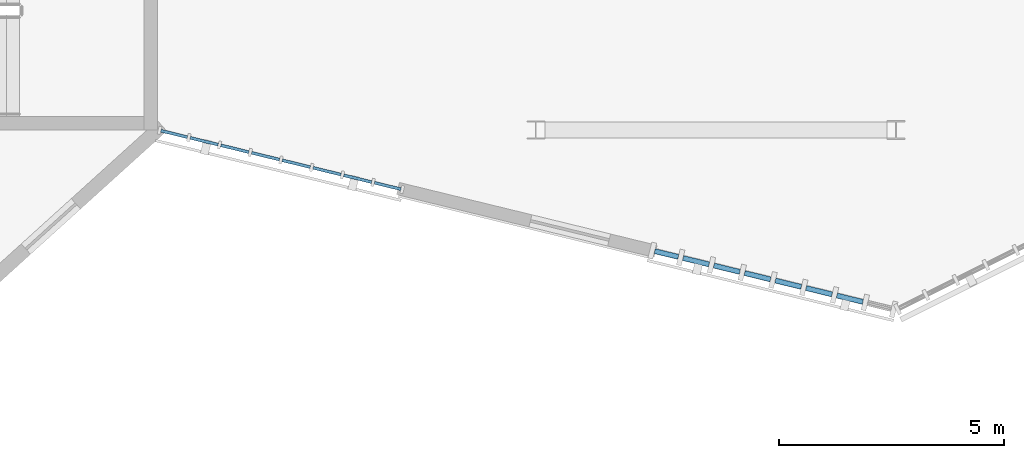
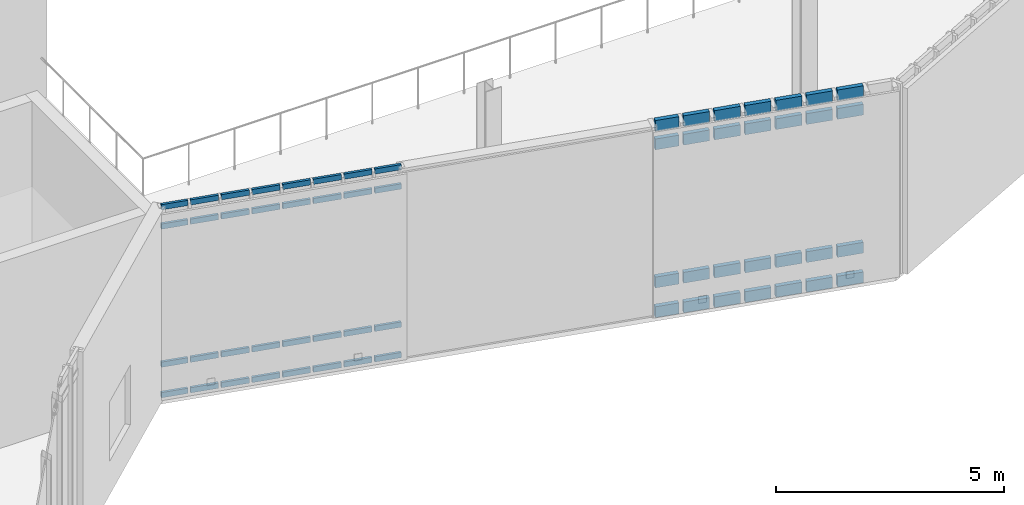
# One storey, part 51 of 127: 60 members, 2 elements without a shape of their own.
"""IFC4 building model written with IfcOpenShell, lengths in metres."""

from ifc_helpers import new_model, si_unit, direction, frame, origin, origin_2d, place, context, subcontext, project, spatial, rectangle, extrude, material, material_profile, profile_set, type_object, element, aggregate, save


model = new_model("IFC4")

# Units and contexts
model_context = context("Model", 3, precision=1e-05, world=origin(), true_north=direction((0.0, 1.0)))
body_context = subcontext(model_context, "Body", "Model", "MODEL_VIEW")
ifc_project = project(units=[si_unit("LENGTHUNIT", "METRE"), si_unit("AREAUNIT", "SQUARE_METRE"), si_unit("VOLUMEUNIT", "CUBIC_METRE"), si_unit("PLANEANGLEUNIT", "RADIAN"), si_unit("MASSUNIT", "GRAM", prefix="KILO")], contexts=[model_context])

# Site, building, storey
site_placement = place(None, origin())
site = spatial("IfcSite", under=ifc_project, at=site_placement, CompositionType="ELEMENT")
building_placement = place(site_placement, origin())
building = spatial("IfcBuilding", under=site, at=building_placement, Name="Larkvane Passage Sports Hall", CompositionType="ELEMENT")
storey_placement = place(building_placement, frame((0.0, 0.0, 5.39990234375)))
storey = spatial("IfcBuildingStorey", under=building, at=storey_placement, Name="L01", CompositionType="ELEMENT", Elevation=5.39990234375)

# Curtain wall, members
ifc_material_1 = material(Name="Thermally broken aluminium and low-E glazing", Category="aluminium")
curtain_wall_type_1 = type_object("IfcCurtainWallType", Name="CW-CLINIC", PredefinedType="USERDEFINED", material=ifc_material_1)
curtain_wall_1_placement = place(storey_placement, origin())
curtain_wall_1 = element("IfcCurtainWall", 1, at=curtain_wall_1_placement, inside=storey, type_object=curtain_wall_type_1, Name="Curtain wall CW5-L01-063", ObjectType="UNITISED CURTAIN WALL", PredefinedType="USERDEFINED")
ifc_material_2 = material(Name="Anodised aluminium 6063-T6", Category="aluminium")
ifc_material_profile_1 = material_profile(ifc_material_2, rectangle(XDim=0.110107421875, YDim=0.2900390625, at=origin_2d()), Name="ALU-TRN-110x290")
ifc_profile_set_1 = profile_set([ifc_material_profile_1], Name="Anodised aluminium 6063-T6")
member_type_1 = type_object("IfcMemberType", Name="CW-TRN-110x290", PredefinedType="USERDEFINED", material=ifc_profile_set_1)
member_1_placement = place(storey_placement, frame((109.26318359375, 18.979736328125, 0.05517578125), z_axis=(-0.971506474765, 0.237013015445, 0.0), x_axis=(-0.237013015445, -0.971506474765, 0.0)))
member_1 = element("IfcMember", 2, at=member_1_placement, type_object=member_type_1, Name="CW-05 transom 2.1", ObjectType="TRANSOM", PredefinedType="USERDEFINED", context=body_context, shape_type="SweptSolid", body=[
    extrude(rectangle(XDim=0.110107421875, YDim=0.2900390625, at=origin_2d()), origin(), (0.0, 0.0, 1.0), 0.59326171875),
])
member_2_placement = place(storey_placement, frame((109.26318359375, 18.979736328125, 0.85009765625), z_axis=(-0.971506474765, 0.237013015445, 0.0), x_axis=(-0.237013015445, -0.971506474765, 0.0)))
member_2 = element("IfcMember", 3, at=member_2_placement, type_object=member_type_1, Name="CW-05 transom 2.2", ObjectType="TRANSOM", PredefinedType="USERDEFINED", context=body_context, shape_type="SweptSolid", body=[
    extrude(rectangle(XDim=0.110107421875, YDim=0.2900390625, at=origin_2d()), origin(), (0.0, 0.0, 1.0), 0.59326171875),
])
member_3_placement = place(storey_placement, frame((109.26318359375, 18.979736328125, 4.550048828125), z_axis=(-0.971506474765, 0.237013015445, 0.0), x_axis=(-0.237013015445, -0.971506474765, 0.0)))
member_3 = element("IfcMember", 4, at=member_3_placement, type_object=member_type_1, Name="CW-05 transom 2.3", ObjectType="TRANSOM", PredefinedType="USERDEFINED", context=body_context, shape_type="SweptSolid", body=[
    extrude(rectangle(XDim=0.110107421875, YDim=0.2900390625, at=origin_2d()), origin(), (0.0, 0.0, 1.0), 0.59326171875),
])
member_4_placement = place(storey_placement, frame((109.26318359375, 18.979736328125, 5.045166015625), z_axis=(-0.971506474765, 0.237013015445, 0.0), x_axis=(-0.237013015445, -0.971506474765, 0.0)))
member_4 = element("IfcMember", 5, at=member_4_placement, type_object=member_type_1, Name="CW-05 transom 2.4", ObjectType="TRANSOM", PredefinedType="USERDEFINED", context=body_context, shape_type="SweptSolid", body=[
    extrude(rectangle(XDim=0.110107421875, YDim=0.2900390625, at=origin_2d()), origin(), (0.0, 0.0, 1.0), 0.59326171875),
])
member_5_placement = place(storey_placement, frame((108.579833984375, 19.146240234375, 0.05517578125), z_axis=(-0.971506474765, 0.237013015445, 0.0), x_axis=(-0.237013015445, -0.971506474765, 0.0)))
member_5 = element("IfcMember", 6, at=member_5_placement, type_object=member_type_1, Name="CW-05 transom 3.1", ObjectType="TRANSOM", PredefinedType="USERDEFINED", context=body_context, shape_type="SweptSolid", body=[
    extrude(rectangle(XDim=0.110107421875, YDim=0.2900390625, at=origin_2d()), origin(), (0.0, 0.0, 1.0), 0.59326171875),
])
member_6_placement = place(storey_placement, frame((108.579833984375, 19.146240234375, 0.85009765625), z_axis=(-0.971506474765, 0.237013015445, 0.0), x_axis=(-0.237013015445, -0.971506474765, 0.0)))
member_6 = element("IfcMember", 7, at=member_6_placement, type_object=member_type_1, Name="CW-05 transom 3.2", ObjectType="TRANSOM", PredefinedType="USERDEFINED", context=body_context, shape_type="SweptSolid", body=[
    extrude(rectangle(XDim=0.110107421875, YDim=0.2900390625, at=origin_2d()), origin(), (0.0, 0.0, 1.0), 0.59326171875),
])
member_7_placement = place(storey_placement, frame((108.579833984375, 19.146240234375, 4.550048828125), z_axis=(-0.971506474765, 0.237013015445, 0.0), x_axis=(-0.237013015445, -0.971506474765, 0.0)))
member_7 = element("IfcMember", 8, at=member_7_placement, type_object=member_type_1, Name="CW-05 transom 3.3", ObjectType="TRANSOM", PredefinedType="USERDEFINED", context=body_context, shape_type="SweptSolid", body=[
    extrude(rectangle(XDim=0.110107421875, YDim=0.2900390625, at=origin_2d()), origin(), (0.0, 0.0, 1.0), 0.59326171875),
])
member_8_placement = place(storey_placement, frame((108.579833984375, 19.146240234375, 5.045166015625), z_axis=(-0.971506474765, 0.237013015445, 0.0), x_axis=(-0.237013015445, -0.971506474765, 0.0)))
member_8 = element("IfcMember", 9, at=member_8_placement, type_object=member_type_1, Name="CW-05 transom 3.4", ObjectType="TRANSOM", PredefinedType="USERDEFINED", context=body_context, shape_type="SweptSolid", body=[
    extrude(rectangle(XDim=0.110107421875, YDim=0.2900390625, at=origin_2d()), origin(), (0.0, 0.0, 1.0), 0.59326171875),
])
member_9_placement = place(storey_placement, frame((107.896484375, 19.31298828125, 0.05517578125), z_axis=(-0.971506474765, 0.237013015445, 0.0), x_axis=(-0.237013015445, -0.971506474765, 0.0)))
member_9 = element("IfcMember", 10, at=member_9_placement, type_object=member_type_1, Name="CW-05 transom 4.1", ObjectType="TRANSOM", PredefinedType="USERDEFINED", context=body_context, shape_type="SweptSolid", body=[
    extrude(rectangle(XDim=0.110107421875, YDim=0.2900390625, at=origin_2d()), origin(), (0.0, 0.0, 1.0), 0.59326171875),
])
member_10_placement = place(storey_placement, frame((107.896484375, 19.31298828125, 0.85009765625), z_axis=(-0.971506474765, 0.237013015445, 0.0), x_axis=(-0.237013015445, -0.971506474765, 0.0)))
member_10 = element("IfcMember", 11, at=member_10_placement, type_object=member_type_1, Name="CW-05 transom 4.2", ObjectType="TRANSOM", PredefinedType="USERDEFINED", context=body_context, shape_type="SweptSolid", body=[
    extrude(rectangle(XDim=0.110107421875, YDim=0.2900390625, at=origin_2d()), origin(), (0.0, 0.0, 1.0), 0.59326171875),
])
member_11_placement = place(storey_placement, frame((107.896484375, 19.31298828125, 4.550048828125), z_axis=(-0.971506474765, 0.237013015445, 0.0), x_axis=(-0.237013015445, -0.971506474765, 0.0)))
member_11 = element("IfcMember", 12, at=member_11_placement, type_object=member_type_1, Name="CW-05 transom 4.3", ObjectType="TRANSOM", PredefinedType="USERDEFINED", context=body_context, shape_type="SweptSolid", body=[
    extrude(rectangle(XDim=0.110107421875, YDim=0.2900390625, at=origin_2d()), origin(), (0.0, 0.0, 1.0), 0.59326171875),
])
member_12_placement = place(storey_placement, frame((107.896484375, 19.31298828125, 5.045166015625), z_axis=(-0.971506474765, 0.237013015445, 0.0), x_axis=(-0.237013015445, -0.971506474765, 0.0)))
member_12 = element("IfcMember", 13, at=member_12_placement, type_object=member_type_1, Name="CW-05 transom 4.4", ObjectType="TRANSOM", PredefinedType="USERDEFINED", context=body_context, shape_type="SweptSolid", body=[
    extrude(rectangle(XDim=0.110107421875, YDim=0.2900390625, at=origin_2d()), origin(), (0.0, 0.0, 1.0), 0.59326171875),
])
member_13_placement = place(storey_placement, frame((107.213134765625, 19.479736328125, 0.05517578125), z_axis=(-0.971506474765, 0.237013015445, 0.0), x_axis=(-0.237013015445, -0.971506474765, 0.0)))
member_13 = element("IfcMember", 14, at=member_13_placement, type_object=member_type_1, Name="CW-05 transom 5.1", ObjectType="TRANSOM", PredefinedType="USERDEFINED", context=body_context, shape_type="SweptSolid", body=[
    extrude(rectangle(XDim=0.110107421875, YDim=0.2900390625, at=origin_2d()), origin(), (0.0, 0.0, 1.0), 0.59326171875),
])
member_14_placement = place(storey_placement, frame((107.213134765625, 19.479736328125, 0.85009765625), z_axis=(-0.971506474765, 0.237013015445, 0.0), x_axis=(-0.237013015445, -0.971506474765, 0.0)))
member_14 = element("IfcMember", 15, at=member_14_placement, type_object=member_type_1, Name="CW-05 transom 5.2", ObjectType="TRANSOM", PredefinedType="USERDEFINED", context=body_context, shape_type="SweptSolid", body=[
    extrude(rectangle(XDim=0.110107421875, YDim=0.2900390625, at=origin_2d()), origin(), (0.0, 0.0, 1.0), 0.59326171875),
])
member_15_placement = place(storey_placement, frame((107.213134765625, 19.479736328125, 4.550048828125), z_axis=(-0.971506474765, 0.237013015445, 0.0), x_axis=(-0.237013015445, -0.971506474765, 0.0)))
member_15 = element("IfcMember", 16, at=member_15_placement, type_object=member_type_1, Name="CW-05 transom 5.3", ObjectType="TRANSOM", PredefinedType="USERDEFINED", context=body_context, shape_type="SweptSolid", body=[
    extrude(rectangle(XDim=0.110107421875, YDim=0.2900390625, at=origin_2d()), origin(), (0.0, 0.0, 1.0), 0.59326171875),
])
member_16_placement = place(storey_placement, frame((107.213134765625, 19.479736328125, 5.045166015625), z_axis=(-0.971506474765, 0.237013015445, 0.0), x_axis=(-0.237013015445, -0.971506474765, 0.0)))
member_16 = element("IfcMember", 17, at=member_16_placement, type_object=member_type_1, Name="CW-05 transom 5.4", ObjectType="TRANSOM", PredefinedType="USERDEFINED", context=body_context, shape_type="SweptSolid", body=[
    extrude(rectangle(XDim=0.110107421875, YDim=0.2900390625, at=origin_2d()), origin(), (0.0, 0.0, 1.0), 0.59326171875),
])
member_17_placement = place(storey_placement, frame((106.52978515625, 19.646240234375, 0.05517578125), z_axis=(-0.971506474765, 0.237013015445, 0.0), x_axis=(-0.237013015445, -0.971506474765, 0.0)))
member_17 = element("IfcMember", 18, at=member_17_placement, type_object=member_type_1, Name="CW-05 transom 6.1", ObjectType="TRANSOM", PredefinedType="USERDEFINED", context=body_context, shape_type="SweptSolid", body=[
    extrude(rectangle(XDim=0.110107421875, YDim=0.2900390625, at=origin_2d()), origin(), (0.0, 0.0, 1.0), 0.59326171875),
])
member_18_placement = place(storey_placement, frame((106.52978515625, 19.646240234375, 0.85009765625), z_axis=(-0.971506474765, 0.237013015445, 0.0), x_axis=(-0.237013015445, -0.971506474765, 0.0)))
member_18 = element("IfcMember", 19, at=member_18_placement, type_object=member_type_1, Name="CW-05 transom 6.2", ObjectType="TRANSOM", PredefinedType="USERDEFINED", context=body_context, shape_type="SweptSolid", body=[
    extrude(rectangle(XDim=0.110107421875, YDim=0.2900390625, at=origin_2d()), origin(), (0.0, 0.0, 1.0), 0.59326171875),
])
member_19_placement = place(storey_placement, frame((106.52978515625, 19.646240234375, 4.550048828125), z_axis=(-0.971506474765, 0.237013015445, 0.0), x_axis=(-0.237013015445, -0.971506474765, 0.0)))
member_19 = element("IfcMember", 20, at=member_19_placement, type_object=member_type_1, Name="CW-05 transom 6.3", ObjectType="TRANSOM", PredefinedType="USERDEFINED", context=body_context, shape_type="SweptSolid", body=[
    extrude(rectangle(XDim=0.110107421875, YDim=0.2900390625, at=origin_2d()), origin(), (0.0, 0.0, 1.0), 0.59326171875),
])
member_20_placement = place(storey_placement, frame((106.52978515625, 19.646240234375, 5.045166015625), z_axis=(-0.971506474765, 0.237013015445, 0.0), x_axis=(-0.237013015445, -0.971506474765, 0.0)))
member_20 = element("IfcMember", 21, at=member_20_placement, type_object=member_type_1, Name="CW-05 transom 6.4", ObjectType="TRANSOM", PredefinedType="USERDEFINED", context=body_context, shape_type="SweptSolid", body=[
    extrude(rectangle(XDim=0.110107421875, YDim=0.2900390625, at=origin_2d()), origin(), (0.0, 0.0, 1.0), 0.59326171875),
])
member_21_placement = place(storey_placement, frame((105.846435546875, 19.81298828125, 0.05517578125), z_axis=(-0.971506474765, 0.237013015445, 0.0), x_axis=(-0.237013015445, -0.971506474765, 0.0)))
member_21 = element("IfcMember", 22, at=member_21_placement, type_object=member_type_1, Name="CW-05 transom 7.1", ObjectType="TRANSOM", PredefinedType="USERDEFINED", context=body_context, shape_type="SweptSolid", body=[
    extrude(rectangle(XDim=0.110107421875, YDim=0.2900390625, at=origin_2d()), origin(), (0.0, 0.0, 1.0), 0.59326171875),
])
member_22_placement = place(storey_placement, frame((105.846435546875, 19.81298828125, 0.85009765625), z_axis=(-0.971506474765, 0.237013015445, 0.0), x_axis=(-0.237013015445, -0.971506474765, 0.0)))
member_22 = element("IfcMember", 23, at=member_22_placement, type_object=member_type_1, Name="CW-05 transom 7.2", ObjectType="TRANSOM", PredefinedType="USERDEFINED", context=body_context, shape_type="SweptSolid", body=[
    extrude(rectangle(XDim=0.110107421875, YDim=0.2900390625, at=origin_2d()), origin(), (0.0, 0.0, 1.0), 0.59326171875),
])
member_23_placement = place(storey_placement, frame((105.846435546875, 19.81298828125, 4.550048828125), z_axis=(-0.971506474765, 0.237013015445, 0.0), x_axis=(-0.237013015445, -0.971506474765, 0.0)))
member_23 = element("IfcMember", 24, at=member_23_placement, type_object=member_type_1, Name="CW-05 transom 7.3", ObjectType="TRANSOM", PredefinedType="USERDEFINED", context=body_context, shape_type="SweptSolid", body=[
    extrude(rectangle(XDim=0.110107421875, YDim=0.2900390625, at=origin_2d()), origin(), (0.0, 0.0, 1.0), 0.59326171875),
])
member_24_placement = place(storey_placement, frame((105.846435546875, 19.81298828125, 5.045166015625), z_axis=(-0.971506474765, 0.237013015445, 0.0), x_axis=(-0.237013015445, -0.971506474765, 0.0)))
member_24 = element("IfcMember", 25, at=member_24_placement, type_object=member_type_1, Name="CW-05 transom 7.4", ObjectType="TRANSOM", PredefinedType="USERDEFINED", context=body_context, shape_type="SweptSolid", body=[
    extrude(rectangle(XDim=0.110107421875, YDim=0.2900390625, at=origin_2d()), origin(), (0.0, 0.0, 1.0), 0.59326171875),
])
member_25_placement = place(storey_placement, frame((105.1630859375, 19.979736328125, 0.05517578125), z_axis=(-0.971566162385, 0.236768224447, 0.0), x_axis=(-0.236768224447, -0.971566162385, 0.0)))
member_25 = element("IfcMember", 26, at=member_25_placement, type_object=member_type_1, Name="CW-05 transom 8.1", ObjectType="TRANSOM", PredefinedType="USERDEFINED", context=body_context, shape_type="SweptSolid", body=[
    extrude(rectangle(XDim=0.110107421875, YDim=0.2900390625, at=origin_2d()), origin(), (0.0, 0.0, 1.0), 0.538330078125),
])
member_26_placement = place(storey_placement, frame((105.1630859375, 19.979736328125, 0.85009765625), z_axis=(-0.971566162385, 0.236768224447, 0.0), x_axis=(-0.236768224447, -0.971566162385, 0.0)))
member_26 = element("IfcMember", 27, at=member_26_placement, type_object=member_type_1, Name="CW-05 transom 8.2", ObjectType="TRANSOM", PredefinedType="USERDEFINED", context=body_context, shape_type="SweptSolid", body=[
    extrude(rectangle(XDim=0.110107421875, YDim=0.2900390625, at=origin_2d()), origin(), (0.0, 0.0, 1.0), 0.538330078125),
])
member_27_placement = place(storey_placement, frame((105.1630859375, 19.979736328125, 4.550048828125), z_axis=(-0.971566162385, 0.236768224447, 0.0), x_axis=(-0.236768224447, -0.971566162385, 0.0)))
member_27 = element("IfcMember", 28, at=member_27_placement, type_object=member_type_1, Name="CW-05 transom 8.3", ObjectType="TRANSOM", PredefinedType="USERDEFINED", context=body_context, shape_type="SweptSolid", body=[
    extrude(rectangle(XDim=0.110107421875, YDim=0.2900390625, at=origin_2d()), origin(), (0.0, 0.0, 1.0), 0.538330078125),
])
member_28_placement = place(storey_placement, frame((105.1630859375, 19.979736328125, 5.045166015625), z_axis=(-0.971566162385, 0.236768224447, 0.0), x_axis=(-0.236768224447, -0.971566162385, 0.0)))
member_28 = element("IfcMember", 29, at=member_28_placement, type_object=member_type_1, Name="CW-05 transom 8.4", ObjectType="TRANSOM", PredefinedType="USERDEFINED", context=body_context, shape_type="SweptSolid", body=[
    extrude(rectangle(XDim=0.110107421875, YDim=0.2900390625, at=origin_2d()), origin(), (0.0, 0.0, 1.0), 0.538330078125),
])
aggregate(curtain_wall_1, [member_1, member_2, member_3, member_4, member_5, member_6, member_7, member_8, member_9, member_10, member_11, member_12, member_13, member_14, member_15, member_16, member_17, member_18, member_19, member_20, member_21, member_22, member_23, member_24, member_25, member_26, member_27, member_28])

curtain_wall_type_2 = type_object("IfcCurtainWallType", Name="CW-UNIT-COURT", PredefinedType="USERDEFINED", material=ifc_material_1)
curtain_wall_2_placement = place(storey_placement, origin())
curtain_wall_2 = element("IfcCurtainWall", 30, at=curtain_wall_2_placement, inside=storey, type_object=curtain_wall_type_2, Name="Curtain wall CW5-L01-064", ObjectType="UNITISED CURTAIN WALL", PredefinedType="USERDEFINED")
ifc_material_profile_2 = material_profile(ifc_material_2, rectangle(XDim=0.06494140625, YDim=0.139892578125, at=origin_2d()), Name="ALU-TRN-65x140")
ifc_profile_set_2 = profile_set([ifc_material_profile_2], Name="Anodised aluminium 6063-T6")
member_type_2 = type_object("IfcMemberType", Name="CW-TRN-65x140", PredefinedType="USERDEFINED", material=ifc_profile_set_2)
member_29_placement = place(storey_placement, frame((99.003662109375, 21.482177734375, 0.03271484375), z_axis=(-0.971597378728, 0.236640093073, 0.0), x_axis=(-0.236640093073, -0.971597378728, 0.0)))
member_29 = element("IfcMember", 31, at=member_29_placement, type_object=member_type_2, Name="CW-01 transom 1.1", ObjectType="TRANSOM", PredefinedType="USERDEFINED", context=body_context, shape_type="SweptSolid", body=[
    extrude(rectangle(XDim=0.06494140625, YDim=0.139892578125, at=origin_2d()), origin(), (0.0, 0.0, 1.0), 0.6044921875),
])
member_30_placement = place(storey_placement, frame((99.003662109375, 21.482177734375, 0.85009765625), z_axis=(-0.971597378728, 0.236640093073, 0.0), x_axis=(-0.236640093073, -0.971597378728, 0.0)))
member_30 = element("IfcMember", 32, at=member_30_placement, type_object=member_type_2, Name="CW-01 transom 1.2", ObjectType="TRANSOM", PredefinedType="USERDEFINED", context=body_context, shape_type="SweptSolid", body=[
    extrude(rectangle(XDim=0.06494140625, YDim=0.139892578125, at=origin_2d()), origin(), (0.0, 0.0, 1.0), 0.6044921875),
])
member_31_placement = place(storey_placement, frame((99.003662109375, 21.482177734375, 4.550048828125), z_axis=(-0.971597378728, 0.236640093073, 0.0), x_axis=(-0.236640093073, -0.971597378728, 0.0)))
member_31 = element("IfcMember", 33, at=member_31_placement, type_object=member_type_2, Name="CW-01 transom 1.3", ObjectType="TRANSOM", PredefinedType="USERDEFINED", context=body_context, shape_type="SweptSolid", body=[
    extrude(rectangle(XDim=0.06494140625, YDim=0.139892578125, at=origin_2d()), origin(), (0.0, 0.0, 1.0), 0.6044921875),
])
member_32_placement = place(storey_placement, frame((99.003662109375, 21.482177734375, 5.067626953125), z_axis=(-0.971597378728, 0.236640093073, 0.0), x_axis=(-0.236640093073, -0.971597378728, 0.0)))
member_32 = element("IfcMember", 34, at=member_32_placement, type_object=member_type_2, Name="CW-01 transom 1.4", ObjectType="TRANSOM", PredefinedType="USERDEFINED", context=body_context, shape_type="SweptSolid", body=[
    extrude(rectangle(XDim=0.06494140625, YDim=0.139892578125, at=origin_2d()), origin(), (0.0, 0.0, 1.0), 0.6044921875),
])
member_33_placement = place(storey_placement, frame((98.35302734375, 21.640869140625, 0.03271484375), z_axis=(-0.971546155783, 0.236850305433, 0.0), x_axis=(-0.236850305433, -0.971546155783, 0.0)))
member_33 = element("IfcMember", 35, at=member_33_placement, type_object=member_type_2, Name="CW-01 transom 2.1", ObjectType="TRANSOM", PredefinedType="USERDEFINED", context=body_context, shape_type="SweptSolid", body=[
    extrude(rectangle(XDim=0.06494140625, YDim=0.139892578125, at=origin_2d()), origin(), (0.0, 0.0, 1.0), 0.636962890625),
])
member_34_placement = place(storey_placement, frame((98.35302734375, 21.640869140625, 0.85009765625), z_axis=(-0.971546155783, 0.236850305433, 0.0), x_axis=(-0.236850305433, -0.971546155783, 0.0)))
member_34 = element("IfcMember", 36, at=member_34_placement, type_object=member_type_2, Name="CW-01 transom 2.2", ObjectType="TRANSOM", PredefinedType="USERDEFINED", context=body_context, shape_type="SweptSolid", body=[
    extrude(rectangle(XDim=0.06494140625, YDim=0.139892578125, at=origin_2d()), origin(), (0.0, 0.0, 1.0), 0.636962890625),
])
member_35_placement = place(storey_placement, frame((98.35302734375, 21.640869140625, 4.550048828125), z_axis=(-0.971546155783, 0.236850305433, 0.0), x_axis=(-0.236850305433, -0.971546155783, 0.0)))
member_35 = element("IfcMember", 37, at=member_35_placement, type_object=member_type_2, Name="CW-01 transom 2.3", ObjectType="TRANSOM", PredefinedType="USERDEFINED", context=body_context, shape_type="SweptSolid", body=[
    extrude(rectangle(XDim=0.06494140625, YDim=0.139892578125, at=origin_2d()), origin(), (0.0, 0.0, 1.0), 0.636962890625),
])
member_36_placement = place(storey_placement, frame((98.35302734375, 21.640869140625, 5.067626953125), z_axis=(-0.971546155783, 0.236850305433, 0.0), x_axis=(-0.236850305433, -0.971546155783, 0.0)))
member_36 = element("IfcMember", 38, at=member_36_placement, type_object=member_type_2, Name="CW-01 transom 2.4", ObjectType="TRANSOM", PredefinedType="USERDEFINED", context=body_context, shape_type="SweptSolid", body=[
    extrude(rectangle(XDim=0.06494140625, YDim=0.139892578125, at=origin_2d()), origin(), (0.0, 0.0, 1.0), 0.636962890625),
])
member_37_placement = place(storey_placement, frame((97.6708984375, 21.80712890625, 0.03271484375), z_axis=(-0.971546155783, 0.236850305433, 0.0), x_axis=(-0.236850305433, -0.971546155783, 0.0)))
member_37 = element("IfcMember", 39, at=member_37_placement, type_object=member_type_2, Name="CW-01 transom 3.1", ObjectType="TRANSOM", PredefinedType="USERDEFINED", context=body_context, shape_type="SweptSolid", body=[
    extrude(rectangle(XDim=0.06494140625, YDim=0.139892578125, at=origin_2d()), origin(), (0.0, 0.0, 1.0), 0.636962890625),
])
member_38_placement = place(storey_placement, frame((97.6708984375, 21.80712890625, 0.85009765625), z_axis=(-0.971546155783, 0.236850305433, 0.0), x_axis=(-0.236850305433, -0.971546155783, 0.0)))
member_38 = element("IfcMember", 40, at=member_38_placement, type_object=member_type_2, Name="CW-01 transom 3.2", ObjectType="TRANSOM", PredefinedType="USERDEFINED", context=body_context, shape_type="SweptSolid", body=[
    extrude(rectangle(XDim=0.06494140625, YDim=0.139892578125, at=origin_2d()), origin(), (0.0, 0.0, 1.0), 0.636962890625),
])
member_39_placement = place(storey_placement, frame((97.6708984375, 21.80712890625, 4.550048828125), z_axis=(-0.971546155783, 0.236850305433, 0.0), x_axis=(-0.236850305433, -0.971546155783, 0.0)))
member_39 = element("IfcMember", 41, at=member_39_placement, type_object=member_type_2, Name="CW-01 transom 3.3", ObjectType="TRANSOM", PredefinedType="USERDEFINED", context=body_context, shape_type="SweptSolid", body=[
    extrude(rectangle(XDim=0.06494140625, YDim=0.139892578125, at=origin_2d()), origin(), (0.0, 0.0, 1.0), 0.636962890625),
])
member_40_placement = place(storey_placement, frame((97.6708984375, 21.80712890625, 5.067626953125), z_axis=(-0.971546155783, 0.236850305433, 0.0), x_axis=(-0.236850305433, -0.971546155783, 0.0)))
member_40 = element("IfcMember", 42, at=member_40_placement, type_object=member_type_2, Name="CW-01 transom 3.4", ObjectType="TRANSOM", PredefinedType="USERDEFINED", context=body_context, shape_type="SweptSolid", body=[
    extrude(rectangle(XDim=0.06494140625, YDim=0.139892578125, at=origin_2d()), origin(), (0.0, 0.0, 1.0), 0.636962890625),
])
member_41_placement = place(storey_placement, frame((96.98876953125, 21.973388671875, 0.03271484375), z_axis=(-0.971457905742, 0.237212009331, 0.0), x_axis=(-0.237212009331, -0.971457905742, 0.0)))
member_41 = element("IfcMember", 43, at=member_41_placement, type_object=member_type_2, Name="CW-01 transom 4.1", ObjectType="TRANSOM", PredefinedType="USERDEFINED", context=body_context, shape_type="SweptSolid", body=[
    extrude(rectangle(XDim=0.06494140625, YDim=0.139892578125, at=origin_2d()), origin(), (0.0, 0.0, 1.0), 0.636962890625),
])
member_42_placement = place(storey_placement, frame((96.98876953125, 21.973388671875, 0.85009765625), z_axis=(-0.971457905742, 0.237212009331, 0.0), x_axis=(-0.237212009331, -0.971457905742, 0.0)))
member_42 = element("IfcMember", 44, at=member_42_placement, type_object=member_type_2, Name="CW-01 transom 4.2", ObjectType="TRANSOM", PredefinedType="USERDEFINED", context=body_context, shape_type="SweptSolid", body=[
    extrude(rectangle(XDim=0.06494140625, YDim=0.139892578125, at=origin_2d()), origin(), (0.0, 0.0, 1.0), 0.636962890625),
])
member_43_placement = place(storey_placement, frame((96.98876953125, 21.973388671875, 4.550048828125), z_axis=(-0.971457905742, 0.237212009331, 0.0), x_axis=(-0.237212009331, -0.971457905742, 0.0)))
member_43 = element("IfcMember", 45, at=member_43_placement, type_object=member_type_2, Name="CW-01 transom 4.3", ObjectType="TRANSOM", PredefinedType="USERDEFINED", context=body_context, shape_type="SweptSolid", body=[
    extrude(rectangle(XDim=0.06494140625, YDim=0.139892578125, at=origin_2d()), origin(), (0.0, 0.0, 1.0), 0.636962890625),
])
member_44_placement = place(storey_placement, frame((96.98876953125, 21.973388671875, 5.067626953125), z_axis=(-0.971457905742, 0.237212009331, 0.0), x_axis=(-0.237212009331, -0.971457905742, 0.0)))
member_44 = element("IfcMember", 46, at=member_44_placement, type_object=member_type_2, Name="CW-01 transom 4.4", ObjectType="TRANSOM", PredefinedType="USERDEFINED", context=body_context, shape_type="SweptSolid", body=[
    extrude(rectangle(XDim=0.06494140625, YDim=0.139892578125, at=origin_2d()), origin(), (0.0, 0.0, 1.0), 0.636962890625),
])
member_45_placement = place(storey_placement, frame((96.306640625, 22.139892578125, 0.03271484375), z_axis=(-0.971546155783, 0.236850305433, 0.0), x_axis=(-0.236850305433, -0.971546155783, 0.0)))
member_45 = element("IfcMember", 47, at=member_45_placement, type_object=member_type_2, Name="CW-01 transom 5.1", ObjectType="TRANSOM", PredefinedType="USERDEFINED", context=body_context, shape_type="SweptSolid", body=[
    extrude(rectangle(XDim=0.06494140625, YDim=0.139892578125, at=origin_2d()), origin(), (0.0, 0.0, 1.0), 0.636962890625),
])
member_46_placement = place(storey_placement, frame((96.306640625, 22.139892578125, 0.85009765625), z_axis=(-0.971546155783, 0.236850305433, 0.0), x_axis=(-0.236850305433, -0.971546155783, 0.0)))
member_46 = element("IfcMember", 48, at=member_46_placement, type_object=member_type_2, Name="CW-01 transom 5.2", ObjectType="TRANSOM", PredefinedType="USERDEFINED", context=body_context, shape_type="SweptSolid", body=[
    extrude(rectangle(XDim=0.06494140625, YDim=0.139892578125, at=origin_2d()), origin(), (0.0, 0.0, 1.0), 0.636962890625),
])
member_47_placement = place(storey_placement, frame((96.306640625, 22.139892578125, 4.550048828125), z_axis=(-0.971546155783, 0.236850305433, 0.0), x_axis=(-0.236850305433, -0.971546155783, 0.0)))
member_47 = element("IfcMember", 49, at=member_47_placement, type_object=member_type_2, Name="CW-01 transom 5.3", ObjectType="TRANSOM", PredefinedType="USERDEFINED", context=body_context, shape_type="SweptSolid", body=[
    extrude(rectangle(XDim=0.06494140625, YDim=0.139892578125, at=origin_2d()), origin(), (0.0, 0.0, 1.0), 0.636962890625),
])
member_48_placement = place(storey_placement, frame((96.306640625, 22.139892578125, 5.067626953125), z_axis=(-0.971546155783, 0.236850305433, 0.0), x_axis=(-0.236850305433, -0.971546155783, 0.0)))
member_48 = element("IfcMember", 50, at=member_48_placement, type_object=member_type_2, Name="CW-01 transom 5.4", ObjectType="TRANSOM", PredefinedType="USERDEFINED", context=body_context, shape_type="SweptSolid", body=[
    extrude(rectangle(XDim=0.06494140625, YDim=0.139892578125, at=origin_2d()), origin(), (0.0, 0.0, 1.0), 0.636962890625),
])
member_49_placement = place(storey_placement, frame((95.62451171875, 22.30615234375, 0.03271484375), z_axis=(-0.971457905742, 0.237212009331, 0.0), x_axis=(-0.237212009331, -0.971457905742, 0.0)))
member_49 = element("IfcMember", 51, at=member_49_placement, type_object=member_type_2, Name="CW-01 transom 6.1", ObjectType="TRANSOM", PredefinedType="USERDEFINED", context=body_context, shape_type="SweptSolid", body=[
    extrude(rectangle(XDim=0.06494140625, YDim=0.139892578125, at=origin_2d()), origin(), (0.0, 0.0, 1.0), 0.636962890625),
])
member_50_placement = place(storey_placement, frame((95.62451171875, 22.30615234375, 0.85009765625), z_axis=(-0.971457905742, 0.237212009331, 0.0), x_axis=(-0.237212009331, -0.971457905742, 0.0)))
member_50 = element("IfcMember", 52, at=member_50_placement, type_object=member_type_2, Name="CW-01 transom 6.2", ObjectType="TRANSOM", PredefinedType="USERDEFINED", context=body_context, shape_type="SweptSolid", body=[
    extrude(rectangle(XDim=0.06494140625, YDim=0.139892578125, at=origin_2d()), origin(), (0.0, 0.0, 1.0), 0.636962890625),
])
member_51_placement = place(storey_placement, frame((95.62451171875, 22.30615234375, 4.550048828125), z_axis=(-0.971457905742, 0.237212009331, 0.0), x_axis=(-0.237212009331, -0.971457905742, 0.0)))
member_51 = element("IfcMember", 53, at=member_51_placement, type_object=member_type_2, Name="CW-01 transom 6.3", ObjectType="TRANSOM", PredefinedType="USERDEFINED", context=body_context, shape_type="SweptSolid", body=[
    extrude(rectangle(XDim=0.06494140625, YDim=0.139892578125, at=origin_2d()), origin(), (0.0, 0.0, 1.0), 0.636962890625),
])
member_52_placement = place(storey_placement, frame((95.62451171875, 22.30615234375, 5.067626953125), z_axis=(-0.971457905742, 0.237212009331, 0.0), x_axis=(-0.237212009331, -0.971457905742, 0.0)))
member_52 = element("IfcMember", 54, at=member_52_placement, type_object=member_type_2, Name="CW-01 transom 6.4", ObjectType="TRANSOM", PredefinedType="USERDEFINED", context=body_context, shape_type="SweptSolid", body=[
    extrude(rectangle(XDim=0.06494140625, YDim=0.139892578125, at=origin_2d()), origin(), (0.0, 0.0, 1.0), 0.636962890625),
])
member_53_placement = place(storey_placement, frame((94.9423828125, 22.47265625, 0.03271484375), z_axis=(-0.971546155783, 0.236850305433, 0.0), x_axis=(-0.236850305433, -0.971546155783, 0.0)))
member_53 = element("IfcMember", 55, at=member_53_placement, type_object=member_type_2, Name="CW-01 transom 7.1", ObjectType="TRANSOM", PredefinedType="USERDEFINED", context=body_context, shape_type="SweptSolid", body=[
    extrude(rectangle(XDim=0.06494140625, YDim=0.139892578125, at=origin_2d()), origin(), (0.0, 0.0, 1.0), 0.636962890625),
])
member_54_placement = place(storey_placement, frame((94.9423828125, 22.47265625, 0.85009765625), z_axis=(-0.971546155783, 0.236850305433, 0.0), x_axis=(-0.236850305433, -0.971546155783, 0.0)))
member_54 = element("IfcMember", 56, at=member_54_placement, type_object=member_type_2, Name="CW-01 transom 7.2", ObjectType="TRANSOM", PredefinedType="USERDEFINED", context=body_context, shape_type="SweptSolid", body=[
    extrude(rectangle(XDim=0.06494140625, YDim=0.139892578125, at=origin_2d()), origin(), (0.0, 0.0, 1.0), 0.636962890625),
])
member_55_placement = place(storey_placement, frame((94.9423828125, 22.47265625, 4.550048828125), z_axis=(-0.971546155783, 0.236850305433, 0.0), x_axis=(-0.236850305433, -0.971546155783, 0.0)))
member_55 = element("IfcMember", 57, at=member_55_placement, type_object=member_type_2, Name="CW-01 transom 7.3", ObjectType="TRANSOM", PredefinedType="USERDEFINED", context=body_context, shape_type="SweptSolid", body=[
    extrude(rectangle(XDim=0.06494140625, YDim=0.139892578125, at=origin_2d()), origin(), (0.0, 0.0, 1.0), 0.636962890625),
])
member_56_placement = place(storey_placement, frame((94.9423828125, 22.47265625, 5.067626953125), z_axis=(-0.971546155783, 0.236850305433, 0.0), x_axis=(-0.236850305433, -0.971546155783, 0.0)))
member_56 = element("IfcMember", 58, at=member_56_placement, type_object=member_type_2, Name="CW-01 transom 7.4", ObjectType="TRANSOM", PredefinedType="USERDEFINED", context=body_context, shape_type="SweptSolid", body=[
    extrude(rectangle(XDim=0.06494140625, YDim=0.139892578125, at=origin_2d()), origin(), (0.0, 0.0, 1.0), 0.636962890625),
])
member_57_placement = place(storey_placement, frame((94.26025390625, 22.638916015625, 0.03271484375), z_axis=(-0.971504466371, 0.237021247614, 0.0), x_axis=(-0.237021247614, -0.971504466371, 0.0)))
member_57 = element("IfcMember", 59, at=member_57_placement, type_object=member_type_2, Name="CW-01 transom 8.1", ObjectType="TRANSOM", PredefinedType="USERDEFINED", context=body_context, shape_type="SweptSolid", body=[
    extrude(rectangle(XDim=0.06494140625, YDim=0.139892578125, at=origin_2d()), origin(), (0.0, 0.0, 1.0), 0.604736328125),
])
member_58_placement = place(storey_placement, frame((94.26025390625, 22.638916015625, 0.85009765625), z_axis=(-0.971504466371, 0.237021247614, 0.0), x_axis=(-0.237021247614, -0.971504466371, 0.0)))
member_58 = element("IfcMember", 60, at=member_58_placement, type_object=member_type_2, Name="CW-01 transom 8.2", ObjectType="TRANSOM", PredefinedType="USERDEFINED", context=body_context, shape_type="SweptSolid", body=[
    extrude(rectangle(XDim=0.06494140625, YDim=0.139892578125, at=origin_2d()), origin(), (0.0, 0.0, 1.0), 0.604736328125),
])
member_59_placement = place(storey_placement, frame((94.26025390625, 22.638916015625, 4.550048828125), z_axis=(-0.971504466371, 0.237021247614, 0.0), x_axis=(-0.237021247614, -0.971504466371, 0.0)))
member_59 = element("IfcMember", 61, at=member_59_placement, type_object=member_type_2, Name="CW-01 transom 8.3", ObjectType="TRANSOM", PredefinedType="USERDEFINED", context=body_context, shape_type="SweptSolid", body=[
    extrude(rectangle(XDim=0.06494140625, YDim=0.139892578125, at=origin_2d()), origin(), (0.0, 0.0, 1.0), 0.604736328125),
])
member_60_placement = place(storey_placement, frame((94.26025390625, 22.638916015625, 5.067626953125), z_axis=(-0.971504466371, 0.237021247614, 0.0), x_axis=(-0.237021247614, -0.971504466371, 0.0)))
member_60 = element("IfcMember", 62, at=member_60_placement, type_object=member_type_2, Name="CW-01 transom 8.4", ObjectType="TRANSOM", PredefinedType="USERDEFINED", context=body_context, shape_type="SweptSolid", body=[
    extrude(rectangle(XDim=0.06494140625, YDim=0.139892578125, at=origin_2d()), origin(), (0.0, 0.0, 1.0), 0.604736328125),
])
aggregate(curtain_wall_2, [member_29, member_30, member_31, member_32, member_33, member_34, member_35, member_36, member_37, member_38, member_39, member_40, member_41, member_42, member_43, member_44, member_45, member_46, member_47, member_48, member_49, member_50, member_51, member_52, member_53, member_54, member_55, member_56, member_57, member_58, member_59, member_60])

save(model, "model.ifc")
